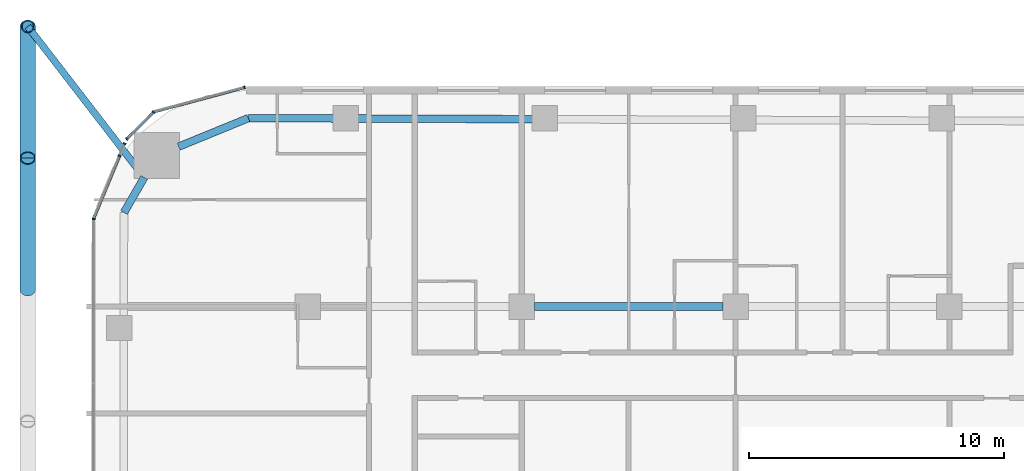
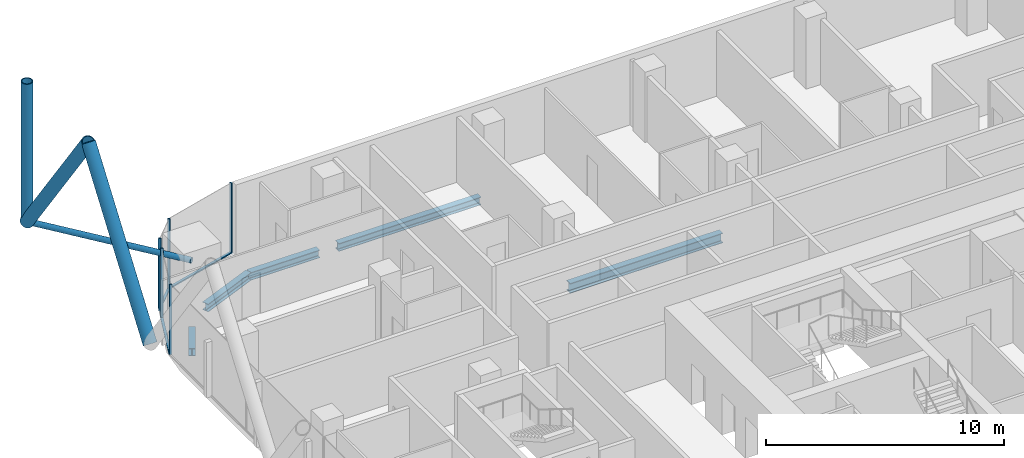
# One storey, part 10 of 34: 13 members, 5 beams, 5 elements without a shape of their own.
"""IFC4 building model written with IfcOpenShell, lengths in metres."""

from ifc_helpers import new_model, si_unit, direction, frame, origin, origin_2d, place, context, subcontext, project, spatial, rectangle, hollow_circle, i_section, extrude, material, layer, layer_set, material_profile, profile_set, type_object, element, aggregate, save


model = new_model("IFC4")

# Units and contexts
model_context = context("Model", 3, precision=1e-05, world=origin(), true_north=direction((0.0, 1.0)))
body_context = subcontext(model_context, "Body", "Model", "MODEL_VIEW")
ifc_project = project(units=[si_unit("LENGTHUNIT", "METRE"), si_unit("AREAUNIT", "SQUARE_METRE"), si_unit("VOLUMEUNIT", "CUBIC_METRE"), si_unit("PLANEANGLEUNIT", "RADIAN"), si_unit("MASSUNIT", "GRAM", prefix="KILO")], contexts=[model_context])

# Site, building, storey
site_placement = place(None, origin())
site = spatial("IfcSite", under=ifc_project, at=site_placement, CompositionType="ELEMENT")
building_placement = place(site_placement, origin())
building = spatial("IfcBuilding", under=site, at=building_placement, Name="Marenta Gate Hotel Tower", CompositionType="ELEMENT")
storey_placement = place(building_placement, frame((0.0, 0.0, 76.10009765625)))
storey = spatial("IfcBuildingStorey", under=building, at=storey_placement, Name="L17", CompositionType="ELEMENT", Elevation=76.10009765625)

# Members
ifc_material_1 = material(Name="Steel S355J2W", Category="steel")
ifc_material_profile_1 = material_profile(ifc_material_1, hollow_circle(Radius=0.25390625, WallThickness=0.0400390625, at=origin_2d()), Name="CHS 508x40")
ifc_profile_set_1 = profile_set([ifc_material_profile_1], Name="Steel S355J2W")
member_type_1 = type_object("IfcMemberType", Name="Diagrid corner post Z1 CHS 508x40", PredefinedType="POST", material=ifc_profile_set_1)
member_1_placement = place(storey_placement, frame((-32.0, 36.199951171875, 3.139892578125), z_axis=(0.0, 0.0, 1.0), x_axis=(1.0, 0.0, 0.0)))
element("IfcMember", 1, at=member_1_placement, inside=storey, type_object=member_type_1, Name="L17-DR-6", PredefinedType="POST", context=body_context, shape_type="SweptSolid", body=[
    extrude(hollow_circle(Radius=0.25390625, WallThickness=0.0400390625, at=origin_2d()), origin(), (0.0, 0.0, 1.0), 7.199951171875),
])
ifc_material_2 = material(Name="Steel S355J2W", Category="steel")
ifc_material_profile_2 = material_profile(ifc_material_2, hollow_circle(Radius=0.304931640625, WallThickness=0.0400390625, at=origin_2d()), Name="CHS 610x40")
ifc_profile_set_2 = profile_set([ifc_material_profile_2], Name="Steel S355J2W")
member_type_2 = type_object("IfcMemberType", Name="Diagrid diagonal Z1 CHS 610x40", PredefinedType="BRACE", material=ifc_profile_set_2)
for number, where, z_axis, x_axis, name in (
    (2, (-32.0, 25.860107421875, 3.139892578125), (0.0, 0.583260841117, 0.812284919975), (-1.0, 0.0, 0.0), "L17-DG-33"),
    (3, (-32.0, 36.199951171875, 3.139892578125), (0.0, -0.583260841117, 0.812284919975), (1.0, 0.0, 0.0), "L17-DG-34"),
):
    element("IfcMember", number, at=place(storey_placement, frame(where, z_axis=z_axis, x_axis=x_axis)), inside=storey, type_object=member_type_2, Name=name, PredefinedType="BRACE", context=body_context, shape_type="SweptSolid", body=[
        extrude(hollow_circle(Radius=0.304931640625, WallThickness=0.0400390625, at=origin_2d()), origin(), (0.0, 0.0, 1.0), 8.86376953125),
    ])

# Beams
ifc_material_3 = material(Name="Steel S355", Category="steel")
ifc_material_profile_3 = material_profile(ifc_material_3, i_section(OverallWidth=0.300048828125, OverallDepth=0.39990234375, WebThickness=0.013427734375, FlangeThickness=0.02392578125, FilletRadius=0.027099609375, at=origin_2d()), Name="HEB 400")
ifc_profile_set_3 = profile_set([ifc_material_profile_3], Name="Steel S355")
beam_type_1 = type_object("IfcBeamType", Name="Edge beam HEB 400", PredefinedType="SPANDREL", material=ifc_profile_set_3)
beam_1_placement = place(storey_placement, frame((-28.221435546875, 28.891845703125, -0.460205078125), z_axis=(0.500098681536, 0.865968422476, 0.0), x_axis=(-0.865968422476, 0.500098681536, 0.0)))
element("IfcBeam", 4, at=beam_1_placement, inside=storey, type_object=beam_type_1, Name="L17-EB-11", PredefinedType="SPANDREL", context=body_context, shape_type="SweptSolid", body=[
    extrude(i_section(OverallWidth=0.300048828125, OverallDepth=0.39990234375, WebThickness=0.013427734375, FlangeThickness=0.02392578125, FilletRadius=0.027099609375, at=origin_2d()), origin(), (0.0, 0.0, 1.0), 1.591552734375),
])
beam_2_placement = place(storey_placement, frame((-26.072509765625, 31.47998046875, -0.460205078125), z_axis=(0.925545641603, 0.378636059177, 0.0), x_axis=(-0.378636059177, 0.925545641603, 0.0)))
element("IfcBeam", 5, at=beam_2_placement, inside=storey, type_object=beam_type_1, Name="L17-EB-12", PredefinedType="SPANDREL", context=body_context, shape_type="SweptSolid", body=[
    extrude(i_section(OverallWidth=0.300048828125, OverallDepth=0.39990234375, WebThickness=0.013427734375, FlangeThickness=0.02392578125, FilletRadius=0.027099609375, at=origin_2d()), origin(), (0.0, 0.0, 1.0), 2.958251953125),
])
beam_3_placement = place(storey_placement, frame((-23.33447265625, 32.60009765625, -0.460205078125), z_axis=(0.999992894549, -0.00376972818, 0.0), x_axis=(0.00376972818, 0.999992894549, 0.0)))
element("IfcBeam", 6, at=beam_3_placement, inside=storey, type_object=beam_type_1, Name="L17-EB-13", PredefinedType="SPANDREL", context=body_context, shape_type="SweptSolid", body=[
    extrude(i_section(OverallWidth=0.300048828125, OverallDepth=0.39990234375, WebThickness=0.013427734375, FlangeThickness=0.02392578125, FilletRadius=0.027099609375, at=origin_2d()), origin(), (0.0, 0.0, 1.0), 3.36767578125),
])
beam_4_placement = place(storey_placement, frame((-19.046875, 32.583984375, -0.460205078125), z_axis=(0.999993064268, -0.003724435008, 0.0), x_axis=(0.003724435008, 0.999993064268, 0.0)))
element("IfcBeam", 7, at=beam_4_placement, inside=storey, type_object=beam_type_1, Name="L17-EB-14", PredefinedType="SPANDREL", context=body_context, shape_type="SweptSolid", body=[
    extrude(i_section(OverallWidth=0.300048828125, OverallDepth=0.39990234375, WebThickness=0.013427734375, FlangeThickness=0.02392578125, FilletRadius=0.027099609375, at=origin_2d()), origin(), (0.0, 0.0, 1.0), 6.8828125),
])

# Member
ifc_material_4 = material(Name="Steel S355J2W", Category="steel")
ifc_material_profile_4 = material_profile(ifc_material_4, hollow_circle(Radius=0.136474609375, WallThickness=0.012451171875, at=origin_2d()), Name="CHS 273x12.5")
ifc_profile_set_4 = profile_set([ifc_material_profile_4], Name="Steel S355J2W")
member_type_3 = type_object("IfcMemberType", Name="Floor tie CHS 273x12.5", PredefinedType="STRUT", material=ifc_profile_set_4)
member_2_placement = place(storey_placement, frame((-32.0, 36.199951171875, 3.139892578125), z_axis=(0.610809299032, -0.791777746729, 0.0), x_axis=(0.791777746729, 0.610809299032, 0.0)))
element("IfcMember", 8, at=member_2_placement, inside=storey, type_object=member_type_3, Name="L17-DR-12", PredefinedType="STRUT", context=body_context, shape_type="SweptSolid", body=[
    extrude(hollow_circle(Radius=0.136474609375, WallThickness=0.012451171875, at=origin_2d()), origin(), (0.0, 0.0, 1.0), 7.48193359375),
])

# Beam
ifc_material_5 = material(Name="Steel S355", Category="steel")
ifc_material_profile_5 = material_profile(ifc_material_5, i_section(OverallWidth=0.300048828125, OverallDepth=0.5, WebThickness=0.014404296875, FlangeThickness=0.028076171875, FilletRadius=0.027099609375, at=origin_2d()), Name="HEB 500")
ifc_profile_set_5 = profile_set([ifc_material_profile_5], Name="Steel S355")
beam_type_2 = type_object("IfcBeamType", Name="Girder HEB 500", PredefinedType="BEAM", material=ifc_profile_set_5)
beam_5_placement = place(storey_placement, frame((-12.10009765625, 25.199951171875, -0.510009765625), z_axis=(1.0, 0.0, 0.0), x_axis=(0.0, 1.0, 0.0)))
element("IfcBeam", 9, at=beam_5_placement, inside=storey, type_object=beam_type_2, Name="L17-GD-24", PredefinedType="BEAM", context=body_context, shape_type="SweptSolid", body=[
    extrude(i_section(OverallWidth=0.300048828125, OverallDepth=0.5, WebThickness=0.014404296875, FlangeThickness=0.028076171875, FilletRadius=0.027099609375, at=origin_2d()), origin(), (0.0, 0.0, 1.0), 7.400146484375),
])

# Curtain wall, member
ifc_material_6 = material(Name="Tinted insulated glass in bronze anodised frame", Category="glass")
ifc_layer = layer(ifc_material_6, 0.1201171875)
ifc_layer_set = layer_set([ifc_layer], Name="Tinted insulated glass in bronze anodised frame")
curtain_wall_type = type_object("IfcCurtainWallType", Name="Tower unitised curtain wall CW1", PredefinedType="NOTDEFINED", material=ifc_layer_set)
curtain_wall_1_placement = place(storey_placement, origin())
curtain_wall_1 = element("IfcCurtainWall", 10, at=curtain_wall_1_placement, inside=storey, type_object=curtain_wall_type, Name="CW1 run G00", PredefinedType="NOTDEFINED")
ifc_material_7 = material(Name="Bronze anodised aluminium", Category="aluminium")
ifc_material_profile_6 = material_profile(ifc_material_7, rectangle(XDim=0.1201171875, YDim=0.06005859375, at=origin_2d()), Name="Mullion CW1 60x120 bronze anodised aluminium")
ifc_profile_set_6 = profile_set([ifc_material_profile_6], Name="Bronze anodised aluminium")
member_type_4 = type_object("IfcMemberType", Name="Mullion CW1 60x120 bronze anodised aluminium", PredefinedType="MULLION", material=ifc_profile_set_6)
member_3_placement = place(storey_placement, frame((-23.485595703125, 33.80322265625, 0.0), z_axis=(0.0, 0.0, 1.0), x_axis=(0.258801657317, -0.965930485164, 0.0)))
member_3 = element("IfcMember", 11, at=member_3_placement, type_object=member_type_4, Name="CW1 mullion 1", PredefinedType="MULLION", context=body_context, shape_type="SweptSolid", body=[
    extrude(rectangle(XDim=0.1201171875, YDim=0.06005859375, at=origin_2d()), origin(), (0.0, 0.0, 1.0), 3.599853515625),
])

# Curtain wall, members
curtain_wall_2_placement = place(storey_placement, origin())
curtain_wall_2 = element("IfcCurtainWall", 12, at=curtain_wall_2_placement, inside=storey, type_object=curtain_wall_type, Name="CW1 run G01", PredefinedType="NOTDEFINED")
member_4_placement = place(storey_placement, frame((-27.06103515625, 32.82958984375, 0.0), z_axis=(0.0, 0.0, 1.0), x_axis=(0.707106781187, -0.707106781187, 0.0)))
member_4 = element("IfcMember", 13, at=member_4_placement, type_object=member_type_4, Name="CW1 mullion 1", PredefinedType="MULLION", context=body_context, shape_type="SweptSolid", body=[
    extrude(rectangle(XDim=0.1201171875, YDim=0.06005859375, at=origin_2d()), origin(), (0.0, 0.0, 1.0), 3.599853515625),
])
member_5_placement = place(storey_placement, frame((-28.109619140625, 31.781005859375, 0.0), z_axis=(0.0, 0.0, 1.0), x_axis=(0.707106781187, -0.707106781187, 0.0)))
member_5 = element("IfcMember", 14, at=member_5_placement, type_object=member_type_4, Name="CW1 mullion 2", PredefinedType="MULLION", context=body_context, shape_type="SweptSolid", body=[
    extrude(rectangle(XDim=0.1201171875, YDim=0.06005859375, at=origin_2d()), origin(), (0.0, 0.0, 1.0), 3.599853515625),
])

# Curtain wall, member
curtain_wall_3_placement = place(storey_placement, origin())
curtain_wall_3 = element("IfcCurtainWall", 15, at=curtain_wall_3_placement, inside=storey, type_object=curtain_wall_type, Name="CW1 run G02", PredefinedType="NOTDEFINED")
member_6_placement = place(storey_placement, frame((-28.197509765625, 31.59912109375, 0.0), z_axis=(0.0, 0.0, 1.0), x_axis=(0.923879170538, -0.382684306245, 0.0)))
member_6 = element("IfcMember", 16, at=member_6_placement, type_object=member_type_4, Name="CW1 mullion 1", PredefinedType="MULLION", context=body_context, shape_type="SweptSolid", body=[
    extrude(rectangle(XDim=0.1201171875, YDim=0.06005859375, at=origin_2d()), origin(), (0.0, 0.0, 1.0), 3.00048828125),
])
aggregate(curtain_wall_3, [member_6])

curtain_wall_4_placement = place(storey_placement, origin())
curtain_wall_4 = element("IfcCurtainWall", 17, at=curtain_wall_4_placement, inside=storey, type_object=curtain_wall_type, Name="CW1 run G03", PredefinedType="NOTDEFINED")
member_7_placement = place(storey_placement, frame((-28.3974609375, 31.116455078125, 0.0), z_axis=(0.0, 0.0, 1.0), x_axis=(0.923882327998, -0.382676683393, 0.0)))
member_7 = element("IfcMember", 18, at=member_7_placement, type_object=member_type_4, Name="CW1 mullion 1", PredefinedType="MULLION", context=body_context, shape_type="SweptSolid", body=[
    extrude(rectangle(XDim=0.1201171875, YDim=0.06005859375, at=origin_2d()), origin(), (0.0, 0.0, 1.0), 3.599853515625),
])

curtain_wall_5_placement = place(storey_placement, origin())
curtain_wall_5 = element("IfcCurtainWall", 19, at=curtain_wall_5_placement, inside=storey, type_object=curtain_wall_type, Name="CW1 run G04", PredefinedType="NOTDEFINED")
member_8_placement = place(storey_placement, frame((-29.412353515625, 28.63623046875, 0.0), z_axis=(0.0, 0.0, 1.0), x_axis=(0.99999877316, -0.00156642217, 0.0)))
member_8 = element("IfcMember", 20, at=member_8_placement, type_object=member_type_4, Name="CW1 mullion 1", PredefinedType="MULLION", context=body_context, shape_type="SweptSolid", body=[
    extrude(rectangle(XDim=0.1201171875, YDim=0.06005859375, at=origin_2d()), origin(), (0.0, 0.0, 1.0), 3.599853515625),
])
aggregate(curtain_wall_5, [member_8])

# Member
ifc_material_8 = material(Name="Bronze anodised aluminium", Category="aluminium")
ifc_material_profile_7 = material_profile(ifc_material_8, rectangle(XDim=0.1201171875, YDim=0.06005859375, at=origin_2d()), Name="Transom CW1 60x120 bronze anodised aluminium")
ifc_profile_set_7 = profile_set([ifc_material_profile_7], Name="Bronze anodised aluminium")
member_type_5 = type_object("IfcMemberType", Name="Transom CW1 60x120 bronze anodised aluminium", PredefinedType="USERDEFINED", material=ifc_profile_set_7)
member_9_placement = place(storey_placement, frame((-23.514404296875, 33.79541015625, 0.02978515625), z_axis=(-0.965928942389, -0.258807415381, 0.0), x_axis=(0.258807415381, -0.965928942389, 0.0)))
member_9 = element("IfcMember", 21, at=member_9_placement, type_object=member_type_5, Name="CW1 transom 1.1", ObjectType="TRANSOM", PredefinedType="USERDEFINED", context=body_context, shape_type="SweptSolid", body=[
    extrude(rectangle(XDim=0.1201171875, YDim=0.06005859375, at=origin_2d()), origin(), (0.0, 0.0, 1.0), 3.649658203125),
])

aggregate(curtain_wall_1, [member_3, member_9])

member_10_placement = place(storey_placement, frame((-27.082275390625, 32.80859375, 0.02978515625), z_axis=(-0.707020993286, -0.707192558681, 0.0), x_axis=(0.707192558681, -0.707020993286, 0.0)))
member_10 = element("IfcMember", 22, at=member_10_placement, type_object=member_type_5, Name="CW1 transom 1.1", ObjectType="TRANSOM", PredefinedType="USERDEFINED", context=body_context, shape_type="SweptSolid", body=[
    extrude(rectangle(XDim=0.1201171875, YDim=0.06005859375, at=origin_2d()), origin(), (0.0, 0.0, 1.0), 1.423095703125),
])

aggregate(curtain_wall_2, [member_4, member_5, member_10])

member_11_placement = place(storey_placement, frame((-28.408935546875, 31.0888671875, 0.02978515625), z_axis=(-0.382664265596, -0.923887471414, 0.0), x_axis=(0.923887471414, -0.382664265596, 0.0)))
member_11 = element("IfcMember", 23, at=member_11_placement, type_object=member_type_5, Name="CW1 transom 1.1", ObjectType="TRANSOM", PredefinedType="USERDEFINED", context=body_context, shape_type="SweptSolid", body=[
    extrude(rectangle(XDim=0.1201171875, YDim=0.06005859375, at=origin_2d()), origin(), (0.0, 0.0, 1.0), 2.6220703125),
])

aggregate(curtain_wall_4, [member_7, member_11])

save(model, "model.ifc")
